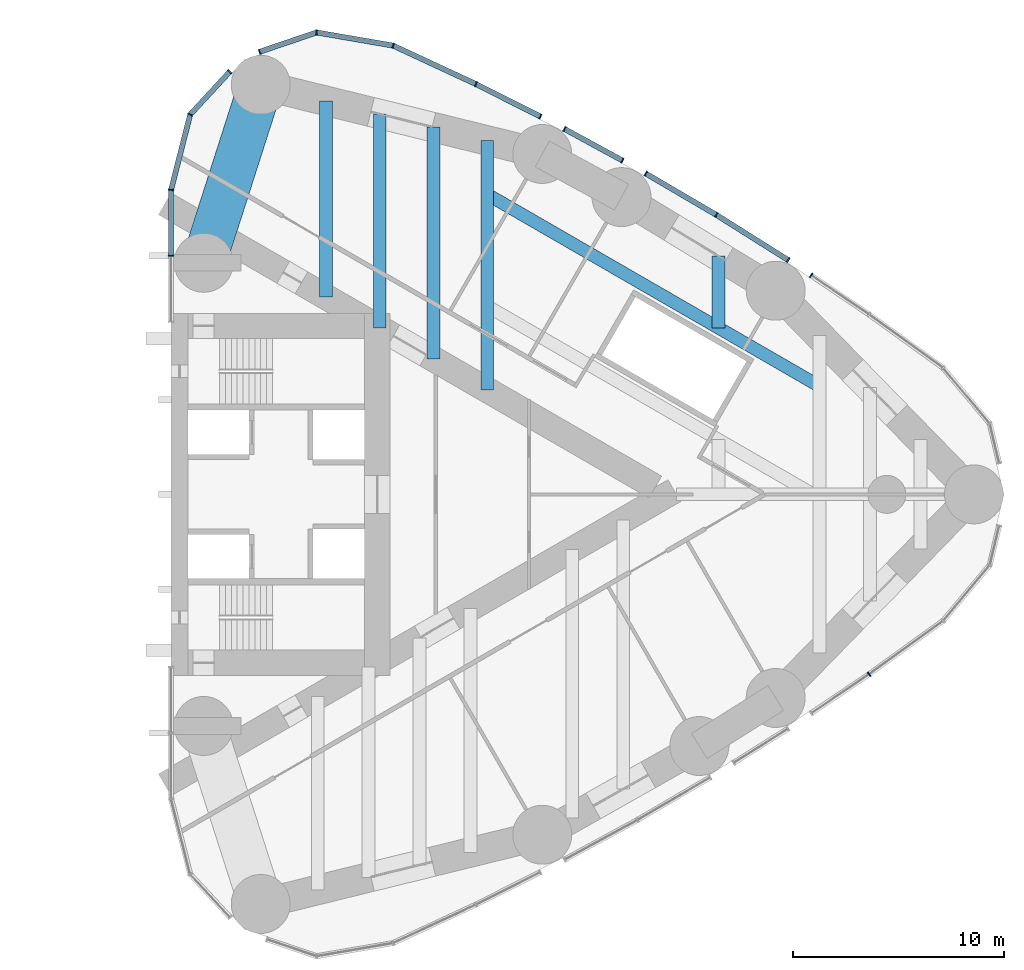
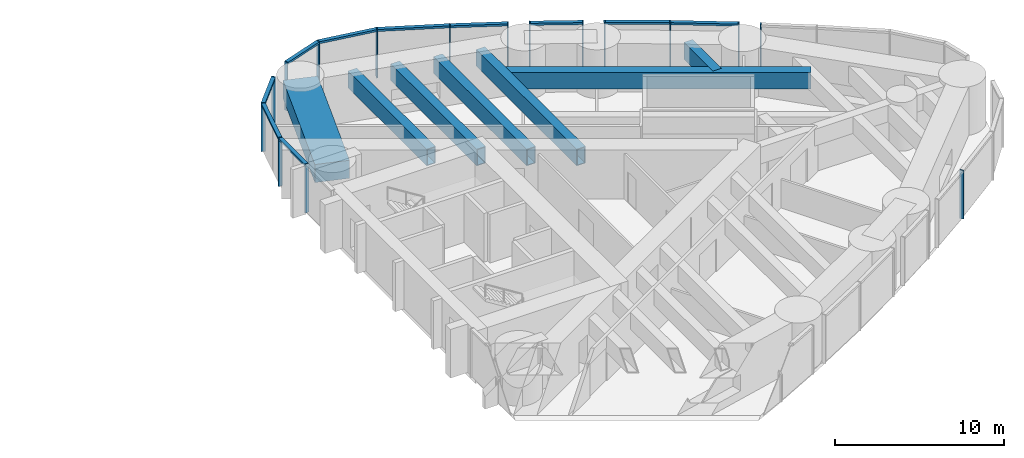
# One storey, part 8 of 17: 26 members, 7 beams, 6 elements without a shape of their own.
"""IFC4 building model written with IfcOpenShell, lengths in metres."""

from ifc_helpers import new_model, si_unit, direction, frame, origin, origin_2d, place, context, subcontext, project, spatial, rectangle, hollow_rectangle, extrude, material, material_profile, profile_set, type_object, element, aggregate, save


model = new_model("IFC4")

# Units and contexts
model_context = context("Model", 3, precision=1e-05, world=origin(), true_north=direction((0.0, 1.0)))
body_context = subcontext(model_context, "Body", "Model", "MODEL_VIEW")
ifc_project = project(units=[si_unit("LENGTHUNIT", "METRE"), si_unit("AREAUNIT", "SQUARE_METRE"), si_unit("VOLUMEUNIT", "CUBIC_METRE"), si_unit("PLANEANGLEUNIT", "RADIAN"), si_unit("MASSUNIT", "GRAM", prefix="KILO")], contexts=[model_context])

# Site, building, storey
site_placement = place(None, origin())
site = spatial("IfcSite", under=ifc_project, at=site_placement, CompositionType="ELEMENT")
building_placement = place(site_placement, origin())
building = spatial("IfcBuilding", under=site, at=building_placement, Name="Lancet Gate Hotel", CompositionType="ELEMENT")
storey_placement = place(building_placement, frame((0.0, 0.0, 201.800048828125)))
storey = spatial("IfcBuildingStorey", under=building, at=storey_placement, Name="L54", CompositionType="ELEMENT", Elevation=201.800048828125)

# Curtain wall, member
ifc_material_1 = material(Name="Aluminium curtain wall", Category="aluminium")
curtain_wall_type = type_object("IfcCurtainWallType", Name="Tower unitised curtain wall", PredefinedType="USERDEFINED", material=ifc_material_1)
curtain_wall_1_placement = place(storey_placement, origin())
curtain_wall_1 = element("IfcCurtainWall", 1, at=curtain_wall_1_placement, inside=storey, type_object=curtain_wall_type, Name="T2 L54 curtain wall 5", ObjectType="UNITISED CURTAIN WALL", PredefinedType="USERDEFINED")
ifc_material_2 = material(Name="Aluminium mullion", Category="aluminium")
ifc_material_profile_1 = material_profile(ifc_material_2, rectangle(XDim=0.06494140625, YDim=0.25, at=origin_2d()), Name="MULLION 65x250")
ifc_profile_set_1 = profile_set([ifc_material_profile_1], Name="Aluminium mullion")
member_type_1 = type_object("IfcMemberType", Name="Aluminium mullion 65x250", PredefinedType="MULLION", material=ifc_profile_set_1)
member_1_placement = place(storey_placement, frame((60.66015625, -8.547607421875, 0.0), z_axis=(0.0, 0.0, 1.0), x_axis=(0.818865629358, 0.573985262055, 0.0)))
member_1 = element("IfcMember", 2, at=member_1_placement, type_object=member_type_1, Name="T2 L54 curtain wall 5 mullion 2", PredefinedType="MULLION", context=body_context, shape_type="SweptSolid", body=[
    extrude(rectangle(XDim=0.06494140625, YDim=0.25, at=origin_2d()), origin(), (0.0, 0.0, 1.0), 3.5),
])
aggregate(curtain_wall_1, [member_1])

curtain_wall_2_placement = place(storey_placement, origin())
curtain_wall_2 = element("IfcCurtainWall", 3, at=curtain_wall_2_placement, inside=storey, type_object=curtain_wall_type, Name="T2 L54 curtain wall 6", ObjectType="UNITISED CURTAIN WALL", PredefinedType="USERDEFINED")
member_2_placement = place(storey_placement, frame((57.90673828125, 10.404541015625, 0.0), z_axis=(0.0, 0.0, 1.0), x_axis=(-0.829038793948, 0.559191092677, 0.0)))
member_2 = element("IfcMember", 4, at=member_2_placement, type_object=member_type_1, Name="T2 L54 curtain wall 6 mullion 5", PredefinedType="MULLION", context=body_context, shape_type="SweptSolid", body=[
    extrude(rectangle(XDim=0.06494140625, YDim=0.25, at=origin_2d()), origin(), (0.0, 0.0, 1.0), 3.5),
])
aggregate(curtain_wall_2, [member_2])

# Curtain wall, members
curtain_wall_3_placement = place(storey_placement, origin())
curtain_wall_3 = element("IfcCurtainWall", 5, at=curtain_wall_3_placement, inside=storey, type_object=curtain_wall_type, Name="T2 L54 curtain wall 7", ObjectType="UNITISED CURTAIN WALL", PredefinedType="USERDEFINED")
member_3_placement = place(storey_placement, frame((56.81591796875, 11.129150390625, 0.0), z_axis=(0.0, 0.0, 1.0), x_axis=(-0.846352453444, 0.532623248225, 0.0)))
member_3 = element("IfcMember", 6, at=member_3_placement, type_object=member_type_1, Name="T2 L54 curtain wall 7 mullion 1", PredefinedType="MULLION", context=body_context, shape_type="SweptSolid", body=[
    extrude(rectangle(XDim=0.06494140625, YDim=0.25, at=origin_2d()), origin(), (0.0, 0.0, 1.0), 3.5),
])
member_4_placement = place(storey_placement, frame((53.39892578125, 13.279541015625, 0.0), z_axis=(0.0, 0.0, 1.0), x_axis=(-0.854524909331, 0.519410415117, 0.0)))
member_4 = element("IfcMember", 7, at=member_4_placement, type_object=member_type_1, Name="T2 L54 curtain wall 7 mullion 2", PredefinedType="MULLION", context=body_context, shape_type="SweptSolid", body=[
    extrude(rectangle(XDim=0.06494140625, YDim=0.25, at=origin_2d()), origin(), (0.0, 0.0, 1.0), 3.5),
])
member_5_placement = place(storey_placement, frame((50.053466796875, 15.239501953125, 0.0), z_axis=(0.0, 0.0, 1.0), x_axis=(-0.862815009772, 0.505519790822, 0.0)))
member_5 = element("IfcMember", 8, at=member_5_placement, type_object=member_type_1, Name="T2 L54 curtain wall 7 mullion 3", PredefinedType="MULLION", context=body_context, shape_type="SweptSolid", body=[
    extrude(rectangle(XDim=0.06494140625, YDim=0.25, at=origin_2d()), origin(), (0.0, 0.0, 1.0), 3.5),
])

curtain_wall_4_placement = place(storey_placement, origin())
curtain_wall_4 = element("IfcCurtainWall", 9, at=curtain_wall_4_placement, inside=storey, type_object=curtain_wall_type, Name="T2 L54 curtain wall 8", ObjectType="UNITISED CURTAIN WALL", PredefinedType="USERDEFINED")
member_6_placement = place(storey_placement, frame((48.946533203125, 15.8583984375, 0.0), z_axis=(0.0, 0.0, 1.0), x_axis=(-0.878409907967, 0.477907976063, 0.0)))
member_6 = element("IfcMember", 10, at=member_6_placement, type_object=member_type_1, Name="T2 L54 curtain wall 8 mullion 1", PredefinedType="MULLION", context=body_context, shape_type="SweptSolid", body=[
    extrude(rectangle(XDim=0.06494140625, YDim=0.25, at=origin_2d()), origin(), (0.0, 0.0, 1.0), 3.5),
])
member_7_placement = place(storey_placement, frame((46.186279296875, 17.360107421875, 0.0), z_axis=(0.0, 0.0, 1.0), x_axis=(-0.878409907967, 0.477907976063, 0.0)))
member_7 = element("IfcMember", 11, at=member_7_placement, type_object=member_type_1, Name="T2 L54 curtain wall 8 mullion 2", PredefinedType="MULLION", context=body_context, shape_type="SweptSolid", body=[
    extrude(rectangle(XDim=0.06494140625, YDim=0.25, at=origin_2d()), origin(), (0.0, 0.0, 1.0), 3.5),
])

curtain_wall_5_placement = place(storey_placement, origin())
curtain_wall_5 = element("IfcCurtainWall", 12, at=curtain_wall_5_placement, inside=storey, type_object=curtain_wall_type, Name="T2 L54 curtain wall 9", ObjectType="UNITISED CURTAIN WALL", PredefinedType="USERDEFINED")
member_8_placement = place(storey_placement, frame((45.04443359375, 17.94873046875, 0.0), z_axis=(0.0, 0.0, 1.0), x_axis=(-0.893121465596, 0.449815570752, 0.0)))
member_8 = element("IfcMember", 13, at=member_8_placement, type_object=member_type_1, Name="T2 L54 curtain wall 9 mullion 1", PredefinedType="MULLION", context=body_context, shape_type="SweptSolid", body=[
    extrude(rectangle(XDim=0.06494140625, YDim=0.25, at=origin_2d()), origin(), (0.0, 0.0, 1.0), 3.5),
])
member_9_placement = place(storey_placement, frame((41.98193359375, 19.490966796875, 0.0), z_axis=(0.0, 0.0, 1.0), x_axis=(-0.900945073021, 0.433933146232, 0.0)))
member_9 = element("IfcMember", 14, at=member_9_placement, type_object=member_type_1, Name="T2 L54 curtain wall 9 mullion 2", PredefinedType="MULLION", context=body_context, shape_type="SweptSolid", body=[
    extrude(rectangle(XDim=0.06494140625, YDim=0.25, at=origin_2d()), origin(), (0.0, 0.0, 1.0), 3.5),
])
member_10_placement = place(storey_placement, frame((38.05126953125, 21.31689453125, 0.0), z_axis=(0.0, 0.0, 1.0), x_axis=(-0.951355493327, 0.308095318555, 0.0)))
member_10 = element("IfcMember", 15, at=member_10_placement, type_object=member_type_1, Name="T2 L54 curtain wall 9 mullion 3", PredefinedType="MULLION", context=body_context, shape_type="SweptSolid", body=[
    extrude(rectangle(XDim=0.06494140625, YDim=0.25, at=origin_2d()), origin(), (0.0, 0.0, 1.0), 3.5),
])
member_11_placement = place(storey_placement, frame((34.412109375, 21.9423828125, 0.0), z_axis=(0.0, 0.0, 1.0), x_axis=(-0.99893715472, -0.046092959559, 0.0)))
member_11 = element("IfcMember", 16, at=member_11_placement, type_object=member_type_1, Name="T2 L54 curtain wall 9 mullion 4", PredefinedType="MULLION", context=body_context, shape_type="SweptSolid", body=[
    extrude(rectangle(XDim=0.06494140625, YDim=0.25, at=origin_2d()), origin(), (0.0, 0.0, 1.0), 3.5),
])
member_12_placement = place(storey_placement, frame((31.705810546875, 21.02392578125, 0.0), z_axis=(0.0, 0.0, 1.0), x_axis=(-0.946952368511, -0.321373943827, 0.0)))
member_12 = element("IfcMember", 17, at=member_12_placement, type_object=member_type_1, Name="T2 L54 curtain wall 9 mullion 5", PredefinedType="MULLION", context=body_context, shape_type="SweptSolid", body=[
    extrude(rectangle(XDim=0.06494140625, YDim=0.25, at=origin_2d()), origin(), (0.0, 0.0, 1.0), 3.5),
])

curtain_wall_6_placement = place(storey_placement, origin())
curtain_wall_6 = element("IfcCurtainWall", 18, at=curtain_wall_6_placement, inside=storey, type_object=curtain_wall_type, Name="T2 L54 curtain wall 10", ObjectType="UNITISED CURTAIN WALL", PredefinedType="USERDEFINED")
member_13_placement = place(storey_placement, frame((30.28955078125, 20.07861328125, 0.0), z_axis=(0.0, 0.0, 1.0), x_axis=(-0.67883123083, -0.734294327943, 0.0)))
member_13 = element("IfcMember", 19, at=member_13_placement, type_object=member_type_1, Name="T2 L54 curtain wall 10 mullion 1", PredefinedType="MULLION", context=body_context, shape_type="SweptSolid", body=[
    extrude(rectangle(XDim=0.06494140625, YDim=0.25, at=origin_2d()), origin(), (0.0, 0.0, 1.0), 3.5),
])
member_14_placement = place(storey_placement, frame((28.408935546875, 18.04443359375, 0.0), z_axis=(0.0, 0.0, 1.0), x_axis=(-0.445044246397, -0.895508581058, 0.0)))
member_14 = element("IfcMember", 20, at=member_14_placement, type_object=member_type_1, Name="T2 L54 curtain wall 10 mullion 2", PredefinedType="MULLION", context=body_context, shape_type="SweptSolid", body=[
    extrude(rectangle(XDim=0.06494140625, YDim=0.25, at=origin_2d()), origin(), (0.0, 0.0, 1.0), 3.5),
])
member_15_placement = place(storey_placement, frame((27.5, 14.465576171875, 0.0), z_axis=(0.0, 0.0, 1.0), x_axis=(-0.134206524909, -0.990953383703, 0.0)))
member_15 = element("IfcMember", 21, at=member_15_placement, type_object=member_type_1, Name="T2 L54 curtain wall 10 mullion 3", PredefinedType="MULLION", context=body_context, shape_type="SweptSolid", body=[
    extrude(rectangle(XDim=0.06494140625, YDim=0.25, at=origin_2d()), origin(), (0.0, 0.0, 1.0), 3.5),
])
member_16_placement = place(storey_placement, frame((27.5, 11.332763671875, 0.0), z_axis=(0.0, 0.0, 1.0), x_axis=(0.0, -1.0, 0.0)))
member_16 = element("IfcMember", 22, at=member_16_placement, type_object=member_type_1, Name="T2 L54 curtain wall 10 mullion 4", PredefinedType="MULLION", context=body_context, shape_type="SweptSolid", body=[
    extrude(rectangle(XDim=0.06494140625, YDim=0.25, at=origin_2d()), origin(), (0.0, 0.0, 1.0), 3.5),
])

# Member
ifc_material_3 = material(Name="Aluminium transom", Category="aluminium")
ifc_material_profile_2 = material_profile(ifc_material_3, rectangle(XDim=0.25, YDim=0.14990234375, at=origin_2d()), Name="TRANSOM 250x150")
ifc_profile_set_2 = profile_set([ifc_material_profile_2], Name="Aluminium transom")
member_type_2 = type_object("IfcMemberType", Name="Aluminium transom 250x150", PredefinedType="USERDEFINED", material=ifc_profile_set_2)
member_17_placement = place(storey_placement, frame((56.788330078125, 11.146484375, 3.425048828125), z_axis=(-0.846343672289, 0.532637201457, 0.0), x_axis=(-0.532637201457, -0.846343672289, 0.0)))
member_17 = element("IfcMember", 23, at=member_17_placement, type_object=member_type_2, Name="T2 L54 curtain wall 7 transom 1", ObjectType="TRANSOM", PredefinedType="USERDEFINED", context=body_context, shape_type="SweptSolid", body=[
    extrude(rectangle(XDim=0.25, YDim=0.14990234375, at=origin_2d()), origin(), (0.0, 0.0, 1.0), 3.97216796875),
])

member_18_placement = place(storey_placement, frame((53.37109375, 13.2958984375, 3.425048828125), z_axis=(-0.862825108715, 0.505502553674, 0.0), x_axis=(-0.505502553674, -0.862825108715, 0.0)))
member_18 = element("IfcMember", 24, at=member_18_placement, type_object=member_type_2, Name="T2 L54 curtain wall 7 transom 2", ObjectType="TRANSOM", PredefinedType="USERDEFINED", context=body_context, shape_type="SweptSolid", body=[
    extrude(rectangle(XDim=0.25, YDim=0.14990234375, at=origin_2d()), origin(), (0.0, 0.0, 1.0), 3.8125),
])

aggregate(curtain_wall_3, [member_3, member_4, member_5, member_17, member_18])

member_19_placement = place(storey_placement, frame((48.91796875, 15.873779296875, 3.425048828125), z_axis=(-0.878404441508, 0.477918023451, 0.0), x_axis=(-0.477918023451, -0.878404441508, 0.0)))
member_19 = element("IfcMember", 25, at=member_19_placement, type_object=member_type_2, Name="T2 L54 curtain wall 8 transom 1", ObjectType="TRANSOM", PredefinedType="USERDEFINED", context=body_context, shape_type="SweptSolid", body=[
    extrude(rectangle(XDim=0.25, YDim=0.14990234375, at=origin_2d()), origin(), (0.0, 0.0, 1.0), 3.077392578125),
])

aggregate(curtain_wall_4, [member_6, member_7, member_19])

member_20_placement = place(storey_placement, frame((45.015380859375, 17.96337890625, 3.425048828125), z_axis=(-0.893146167773, 0.449766520534, 0.0), x_axis=(-0.449766520534, -0.893146167773, 0.0)))
member_20 = element("IfcMember", 26, at=member_20_placement, type_object=member_type_2, Name="T2 L54 curtain wall 9 transom 1", ObjectType="TRANSOM", PredefinedType="USERDEFINED", context=body_context, shape_type="SweptSolid", body=[
    extrude(rectangle(XDim=0.25, YDim=0.14990234375, at=origin_2d()), origin(), (0.0, 0.0, 1.0), 3.36376953125),
])

member_21_placement = place(storey_placement, frame((41.952392578125, 19.504638671875, 3.425048828125), z_axis=(-0.906913768492, 0.421316290357, 0.0), x_axis=(-0.421316290357, -0.906913768492, 0.0)))
member_21 = element("IfcMember", 27, at=member_21_placement, type_object=member_type_2, Name="T2 L54 curtain wall 9 transom 2", ObjectType="TRANSOM", PredefinedType="USERDEFINED", context=body_context, shape_type="SweptSolid", body=[
    extrude(rectangle(XDim=0.25, YDim=0.14990234375, at=origin_2d()), origin(), (0.0, 0.0, 1.0), 4.26904296875),
])

member_22_placement = place(storey_placement, frame((38.019287109375, 21.322265625, 3.425048828125), z_axis=(-0.985536950873, 0.169460669373, 0.0), x_axis=(-0.169460669373, -0.985536950873, 0.0)))
member_22 = element("IfcMember", 28, at=member_22_placement, type_object=member_type_2, Name="T2 L54 curtain wall 9 transom 3", ObjectType="TRANSOM", PredefinedType="USERDEFINED", context=body_context, shape_type="SweptSolid", body=[
    extrude(rectangle(XDim=0.25, YDim=0.14990234375, at=origin_2d()), origin(), (0.0, 0.0, 1.0), 3.627685546875),
])

member_23_placement = place(storey_placement, frame((34.38134765625, 21.93212890625, 3.425048828125), z_axis=(-0.946938323668, -0.321415325037, 0.0), x_axis=(0.321415325037, -0.946938323668, 0.0)))
member_23 = element("IfcMember", 29, at=member_23_placement, type_object=member_type_2, Name="T2 L54 curtain wall 9 transom 4", ObjectType="TRANSOM", PredefinedType="USERDEFINED", context=body_context, shape_type="SweptSolid", body=[
    extrude(rectangle(XDim=0.25, YDim=0.14990234375, at=origin_2d()), origin(), (0.0, 0.0, 1.0), 2.79296875),
])

aggregate(curtain_wall_5, [member_8, member_9, member_10, member_11, member_12, member_20, member_21, member_22, member_23])

member_24_placement = place(storey_placement, frame((30.267578125, 20.054931640625, 3.425048828125), z_axis=(-0.678812160066, -0.734311957785, 0.0), x_axis=(0.734311957785, -0.678812160066, 0.0)))
member_24 = element("IfcMember", 30, at=member_24_placement, type_object=member_type_2, Name="T2 L54 curtain wall 10 transom 1", ObjectType="TRANSOM", PredefinedType="USERDEFINED", context=body_context, shape_type="SweptSolid", body=[
    extrude(rectangle(XDim=0.25, YDim=0.14990234375, at=origin_2d()), origin(), (0.0, 0.0, 1.0), 2.705322265625),
])

member_25_placement = place(storey_placement, frame((28.40087890625, 18.012939453125, 3.425048828125), z_axis=(-0.246128756616, -0.969237140831, 0.0), x_axis=(0.969237140831, -0.246128756616, 0.0)))
member_25 = element("IfcMember", 31, at=member_25_placement, type_object=member_type_2, Name="T2 L54 curtain wall 10 transom 2", ObjectType="TRANSOM", PredefinedType="USERDEFINED", context=body_context, shape_type="SweptSolid", body=[
    extrude(rectangle(XDim=0.25, YDim=0.14990234375, at=origin_2d()), origin(), (0.0, 0.0, 1.0), 3.62744140625),
])

member_26_placement = place(storey_placement, frame((27.5, 14.43310546875, 3.425048828125), z_axis=(0.0, -1.0, 0.0), x_axis=(1.0, 0.0, 0.0)))
member_26 = element("IfcMember", 32, at=member_26_placement, type_object=member_type_2, Name="T2 L54 curtain wall 10 transom 3", ObjectType="TRANSOM", PredefinedType="USERDEFINED", context=body_context, shape_type="SweptSolid", body=[
    extrude(rectangle(XDim=0.25, YDim=0.14990234375, at=origin_2d()), origin(), (0.0, 0.0, 1.0), 3.06787109375),
])

aggregate(curtain_wall_6, [member_13, member_14, member_15, member_16, member_24, member_25, member_26])

# Beams
ifc_material_4 = material(Name="Steel S460QL", Category="steel")
ifc_material_profile_3 = material_profile(ifc_material_4, hollow_rectangle(XDim=0.60009765625, YDim=1.199951171875, WallThickness=0.050048828125, at=origin_2d()), Name="BOX 1200x600x50")
ifc_profile_set_3 = profile_set([ifc_material_profile_3], Name="Steel S460QL")
beam_type_1 = type_object("IfcBeamType", Name="Refuge floor beam BOX 1200x600x50", PredefinedType="BEAM", material=ifc_profile_set_3)
beam_1_placement = place(storey_placement, frame((34.859619140625, 9.377685546875, 2.64990234375), z_axis=(0.0, 1.0, 0.0), x_axis=(-1.0, 0.0, 0.0)))
element("IfcBeam", 33, at=beam_1_placement, inside=storey, type_object=beam_type_1, Name="T2 floor beam F02N L54", PredefinedType="BEAM", context=body_context, shape_type="SweptSolid", body=[
    extrude(hollow_rectangle(XDim=0.60009765625, YDim=1.199951171875, WallThickness=0.050048828125, at=origin_2d()), origin(), (0.0, 0.0, 1.0), 9.316162109375),
])
beam_2_placement = place(storey_placement, frame((37.412841796875, 7.903564453125, 2.64990234375), z_axis=(0.0, 1.0, 0.0), x_axis=(-1.0, 0.0, 0.0)))
element("IfcBeam", 34, at=beam_2_placement, inside=storey, type_object=beam_type_1, Name="T2 floor beam F04N L54", PredefinedType="BEAM", context=body_context, shape_type="SweptSolid", body=[
    extrude(hollow_rectangle(XDim=0.60009765625, YDim=1.199951171875, WallThickness=0.050048828125, at=origin_2d()), origin(), (0.0, 0.0, 1.0), 10.16259765625),
])
beam_3_placement = place(storey_placement, frame((39.9658203125, 6.429443359375, 2.64990234375), z_axis=(0.0, 1.0, 0.0), x_axis=(-1.0, 0.0, 0.0)))
element("IfcBeam", 35, at=beam_3_placement, inside=storey, type_object=beam_type_1, Name="T2 floor beam F06N L54", PredefinedType="BEAM", context=body_context, shape_type="SweptSolid", body=[
    extrude(hollow_rectangle(XDim=0.60009765625, YDim=1.199951171875, WallThickness=0.050048828125, at=origin_2d()), origin(), (0.0, 0.0, 1.0), 11.00927734375),
])
beam_4_placement = place(storey_placement, frame((42.51904296875, 4.95556640625, 2.64990234375), z_axis=(0.0, 1.0, 0.0), x_axis=(-1.0, 0.0, 0.0)))
element("IfcBeam", 36, at=beam_4_placement, inside=storey, type_object=beam_type_1, Name="T2 floor beam F08N L54", PredefinedType="BEAM", context=body_context, shape_type="SweptSolid", body=[
    extrude(hollow_rectangle(XDim=0.60009765625, YDim=1.199951171875, WallThickness=0.050048828125, at=origin_2d()), origin(), (0.0, 0.0, 1.0), 11.85546875),
])
beam_5_placement = place(storey_placement, frame((53.502197265625, 7.909423828125, 2.64990234375), z_axis=(0.0, 1.0, 0.0), x_axis=(-1.0, 0.0, 0.0)))
element("IfcBeam", 37, at=beam_5_placement, inside=storey, type_object=beam_type_1, Name="T2 floor beam F11NB L54", PredefinedType="BEAM", context=body_context, shape_type="SweptSolid", body=[
    extrude(hollow_rectangle(XDim=0.60009765625, YDim=1.199951171875, WallThickness=0.050048828125, at=origin_2d()), origin(), (0.0, 0.0, 1.0), 3.414306640625),
])
ifc_material_5 = material(Name="Concrete C50/60", Category="concrete")
ifc_material_profile_4 = material_profile(ifc_material_5, rectangle(XDim=2.10009765625, YDim=1.300048828125, at=origin_2d()), Name="RC 2100x1300")
ifc_profile_set_4 = profile_set([ifc_material_profile_4], Name="Concrete C50/60")
beam_type_2 = type_object("IfcBeamType", Name="Tie ring beam RC 2100x1300", PredefinedType="SPANDREL", material=ifc_profile_set_4)
beam_6_placement = place(storey_placement, frame((29.050048828125, 11.0, 2.599853515625), z_axis=(0.305169772986, 0.952297962644, 0.0), x_axis=(-0.952297962644, 0.305169772986, 0.0)))
element("IfcBeam", 38, at=beam_6_placement, inside=storey, type_object=beam_type_2, Name="T2 tie ring beam RG2 L54", PredefinedType="SPANDREL", context=body_context, shape_type="SweptSolid", body=[
    extrude(rectangle(XDim=2.10009765625, YDim=1.300048828125, at=origin_2d()), origin(), (0.0, 0.0, 1.0), 8.87939453125),
])
ifc_material_6 = material(Name="Steel S460QL", Category="steel")
ifc_material_profile_5 = material_profile(ifc_material_6, hollow_rectangle(XDim=0.60009765625, YDim=1.199951171875, WallThickness=0.050048828125, at=origin_2d()), Name="BOX 1200x600x50")
ifc_profile_set_5 = profile_set([ifc_material_profile_5], Name="Steel S460QL")
beam_type_3 = type_object("IfcBeamType", Name="Trimmer beam BOX 1200x600x50", PredefinedType="BEAM", material=ifc_profile_set_5)
beam_7_placement = place(storey_placement, frame((42.51904296875, 14.25146484375, 2.64990234375), z_axis=(0.865999533703, -0.500044805618, 0.0), x_axis=(0.500044805618, 0.865999533703, 0.0)))
element("IfcBeam", 39, at=beam_7_placement, inside=storey, type_object=beam_type_3, Name="T2 trimmer beam TR01N L54", PredefinedType="BEAM", context=body_context, shape_type="SweptSolid", body=[
    extrude(hollow_rectangle(XDim=0.60009765625, YDim=1.199951171875, WallThickness=0.050048828125, at=origin_2d()), origin(), (0.0, 0.0, 1.0), 18.225341796875),
])

save(model, "model.ifc")
